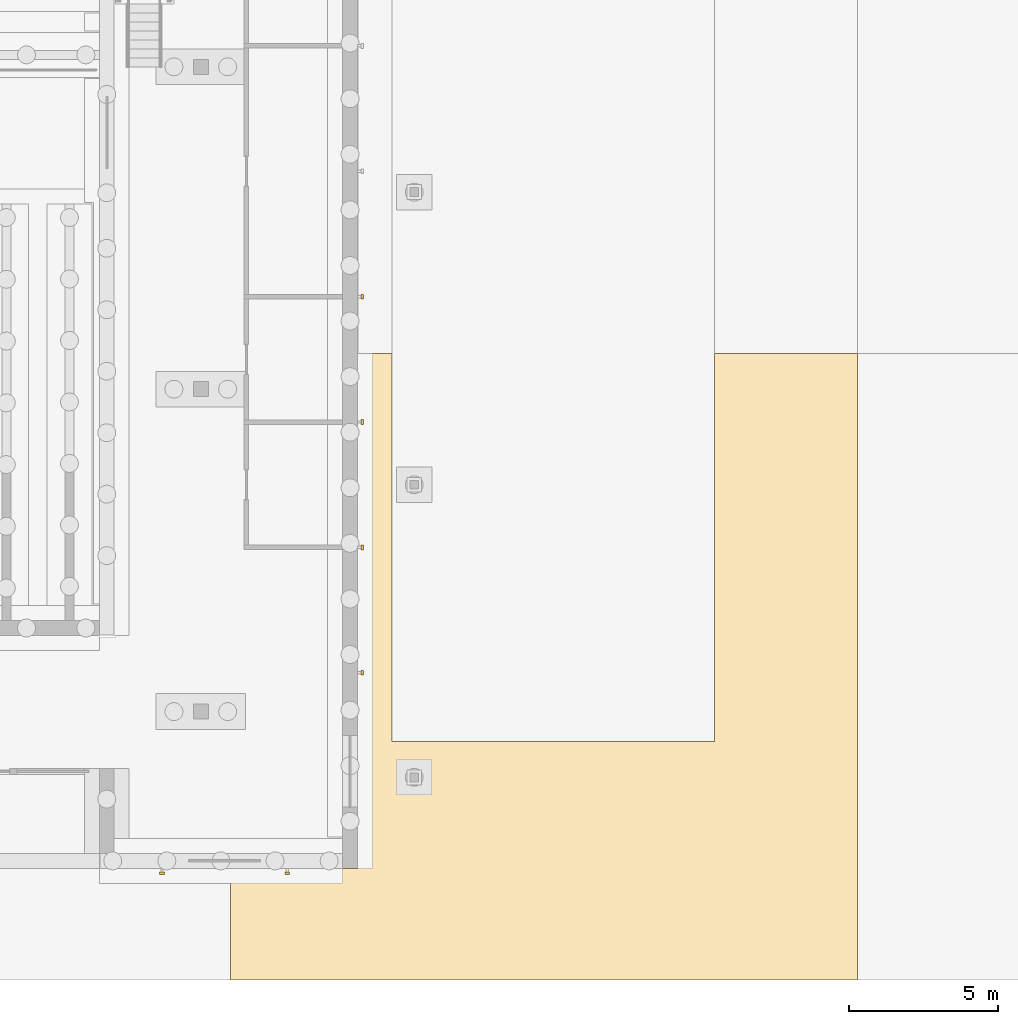
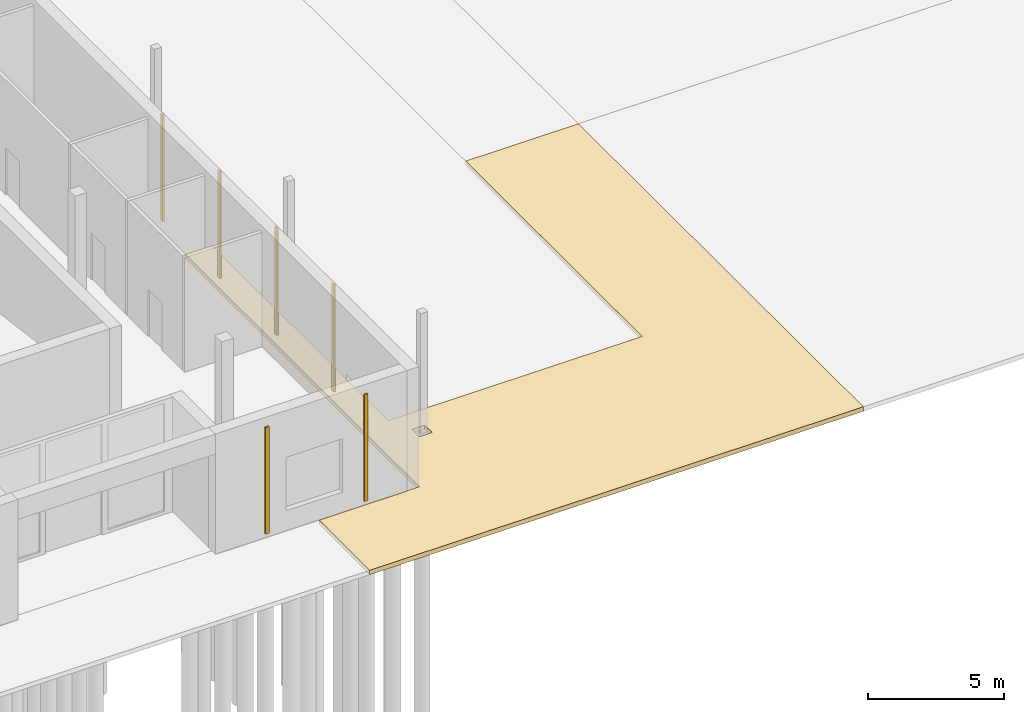
# One storey, part 96 of 127: 6 shading devices, 1 covering.
"""IFC4 building model written with IfcOpenShell, lengths in metres."""

from ifc_helpers import new_model, si_unit, direction, frame, origin, origin_2d, place, context, subcontext, project, spatial, polyline, rectangle, outline, extrude, material, layer, layer_set, type_object, element, save


model = new_model("IFC4")

# Units and contexts
model_context = context("Model", 3, precision=1e-05, world=origin(), true_north=direction((0.0, 1.0)))
body_context = subcontext(model_context, "Body", "Model", "MODEL_VIEW")
ifc_project = project(units=[si_unit("LENGTHUNIT", "METRE"), si_unit("AREAUNIT", "SQUARE_METRE"), si_unit("VOLUMEUNIT", "CUBIC_METRE"), si_unit("PLANEANGLEUNIT", "RADIAN"), si_unit("MASSUNIT", "GRAM", prefix="KILO")], contexts=[model_context])

# Site, building, storey
site_placement = place(None, origin())
site = spatial("IfcSite", under=ifc_project, at=site_placement, CompositionType="ELEMENT")
building_placement = place(site_placement, origin())
building = spatial("IfcBuilding", under=site, at=building_placement, Name="Ljudholm Concert House", CompositionType="ELEMENT")
storey_placement = place(building_placement, origin())
storey = spatial("IfcBuildingStorey", under=building, at=storey_placement, Name="L00", CompositionType="ELEMENT", Elevation=0.0)

# Shading devices
ifc_material_1 = material(Name="Aluminium extrusion with timber-grain PVDF finish", Category="aluminium")
shading_device_type = type_object("IfcShadingDeviceType", Name="FACADE FIN 80x160", PredefinedType="SHUTTER", material=ifc_material_1)
for number, where, z_axis, x_axis, name in (
    (1, (39.699951171875, 3.590087890625, 0.2998046875), (0.0, 0.0, 1.0), (0.0, -1.0, 0.0), "Facade fin"),
    (2, (43.89990234375, 3.590087890625, 0.2998046875), (0.0, 0.0, 1.0), (0.0, -1.0, 0.0), "Facade fin"),
    (3, (46.409912109375, 10.300048828125, 0.2998046875), (0.0, 0.0, 1.0), (1.0, 0.0, 0.0), "Facade fin"),
    (4, (46.409912109375, 14.5, 0.2998046875), (0.0, 0.0, 1.0), (1.0, 0.0, 0.0), "Facade fin"),
    (5, (46.409912109375, 18.699951171875, 0.2998046875), (0.0, 0.0, 1.0), (1.0, 0.0, 0.0), "Facade fin"),
    (6, (46.409912109375, 22.89990234375, 0.2998046875), (0.0, 0.0, 1.0), (1.0, 0.0, 0.0), "Facade fin"),
):
    element("IfcShadingDevice", number, at=place(storey_placement, frame(where, z_axis=z_axis, x_axis=x_axis)), inside=storey, type_object=shading_device_type, Name=name, PredefinedType="SHUTTER", context=body_context, shape_type="SweptSolid", body=[
        extrude(rectangle(XDim=0.080078125, YDim=0.159912109375, at=origin_2d()), origin(), (0.0, 0.0, 1.0), 4.800048828125),
    ])

# Covering
ifc_material_2 = material(Name="Precast concrete pavers on compacted sand bed", Category="concrete")
ifc_layer = layer(ifc_material_2, 0.199951171875)
ifc_layer_set = layer_set([ifc_layer], Name="Precast concrete pavers on compacted sand bed")
covering_type = type_object("IfcCoveringType", Name="PRECAST CONCRETE PAVERS ON COMPACTED SAND BED PAVING 200", PredefinedType="USERDEFINED", material=ifc_layer_set)
covering_placement = place(storey_placement, frame((0.0, 0.0, -0.199951171875)))
element("IfcCovering", 7, at=covering_placement, inside=storey, type_object=covering_type, Name="Paving", ObjectType="PAVING", PredefinedType="USERDEFINED", context=body_context, shape_type="SweptSolid", body=[
    extrude(outline(polyline([(42.0, 0.010009765625), (42.0, 3.72998046875), (45.75, 3.72998046875), (45.757568359375, 3.7314453125), (45.76416015625, 3.73583984375), (45.7685546875, 3.742431640625), (45.77001953125, 3.75), (46.25, 3.75), (46.255859375, 3.7509765625), (46.2626953125, 3.754638671875), (46.2666015625, 3.7587890625), (46.26953125, 3.76611328125), (46.27001953125, 21.0), (47.39990234375, 21.0), (47.39990234375, 8.0), (58.199951171875, 8.0), (58.199951171875, 21.0), (63.0, 21.0), (63.0, 0.010009765625), (42.0, 0.010009765625)]), holes=[polyline([(48.41845703125, 6.542236328125), (48.419921875, 6.550048828125), (48.419921875, 7.050048828125), (48.41845703125, 7.0576171875), (48.4140625, 7.064208984375), (48.40771484375, 7.068359375), (48.39990234375, 7.070068359375), (47.89990234375, 7.070068359375), (47.892333984375, 7.068359375), (47.8857421875, 7.064208984375), (47.881591796875, 7.0576171875), (47.8798828125, 7.050048828125), (47.8798828125, 6.550048828125), (47.881591796875, 6.542236328125), (47.8857421875, 6.535888671875), (47.892333984375, 6.531494140625), (47.89990234375, 6.530029296875), (48.39990234375, 6.530029296875), (48.4111328125, 6.533447265625), (48.41845703125, 6.542236328125)])]), origin(), (0.0, 0.0, 1.0), 0.199951171875),
])

save(model, "model.ifc")
